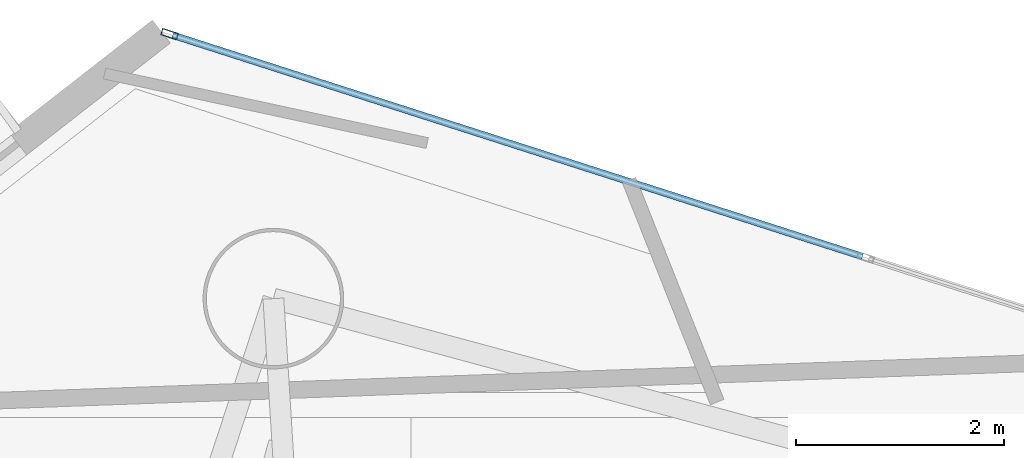
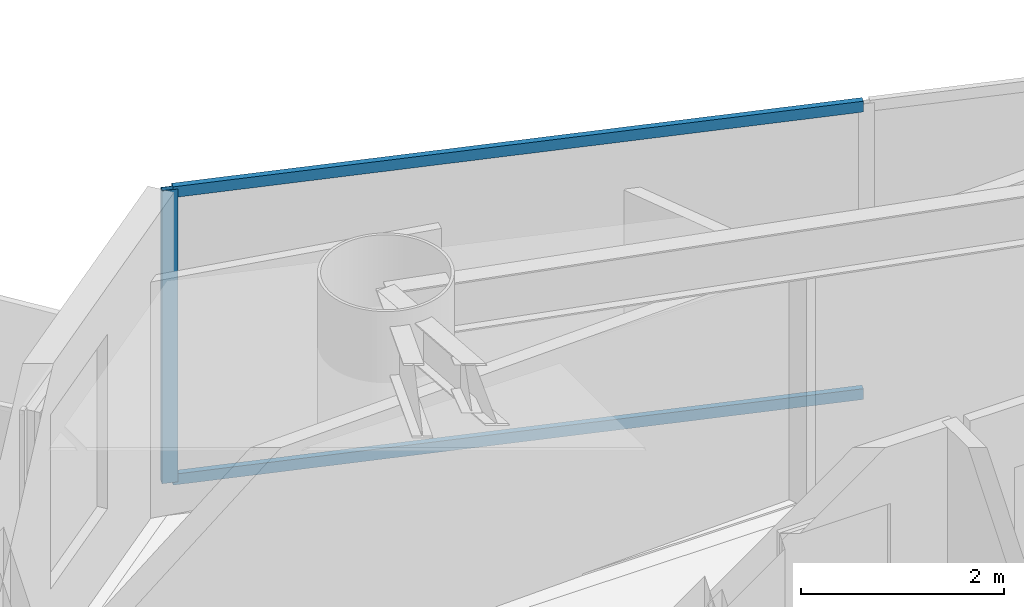
# One storey, part 16 of 22: 3 members, 1 element without a shape of its own.
"""IFC4 building model written with IfcOpenShell, lengths in metres."""

import ifcopenshell
import ifcopenshell.guid

model = None  # the IFC model being written
_history = None  # IfcOwnerHistory: only IFC2X3 demands one
_inside = {}  # id of a spatial element -> (the spatial element, [elements in it])
_under = {}  # id of a project, library or spatial element -> (it, [spatial elements below it])
_declared = {}  # id of a project -> (the project, [libraries it declares])
_typed = {}  # id of a type object -> (the type object, [elements of that type])
_made_of = {}  # id of a material, layer set ... -> (it, [elements and type objects made of it])


def new_model(schema):
    """Start an empty IFC model of exactly this schema.

    Asked for "IFC4X3", IfcOpenShell would pick the latest addendum, in which some entities
    have other attributes; the version numbers below select the first issue.
    IFC2X3 requires an IfcOwnerHistory on every rooted entity: one is made here for all.
    """
    global model, _history
    if schema == "IFC4X3":
        model = ifcopenshell.file(schema_version=(4, 3, 0, 0))
    else:
        model = ifcopenshell.file(schema=schema)
    _inside.clear()
    _under.clear()
    _declared.clear()
    _typed.clear()
    _made_of.clear()
    _history = None
    if model.schema == "IFC2X3":
        org = make("IfcOrganization", Name="unknown")
        user = make(
            "IfcPersonAndOrganization",
            ThePerson=make("IfcPerson", FamilyName="unknown"),
            TheOrganization=org,
        )
        app = make(
            "IfcApplication",
            ApplicationDeveloper=org,
            Version="unknown",
            ApplicationFullName="unknown",
            ApplicationIdentifier="unknown",
        )
        _history = make(
            "IfcOwnerHistory",
            OwningUser=user,
            OwningApplication=app,
            ChangeAction="ADDED",
            CreationDate=0,
        )
    return model


def make(cls, **values):
    """One entity of the class cls with the attributes given. An attribute that is None is left unset."""
    return model.create_entity(
        cls, **{name: value for name, value in values.items() if value is not None}
    )


def rooted(cls, **values):
    """An entity with a GlobalId (a new one), such as an element, a storey or a relation."""
    return make(cls, GlobalId=ifcopenshell.guid.new(), OwnerHistory=_history, **values)


def si_unit(unit_type, name, prefix=None):
    """IfcSIUnit, for example si_unit("LENGTHUNIT", "METRE", prefix="MILLI")."""
    return make("IfcSIUnit", UnitType=unit_type, Prefix=prefix, Name=name)


def assignment(units):
    """IfcUnitAssignment: the units of a project."""
    return None if units is None else make("IfcUnitAssignment", Units=units)


def point(xyz):
    """IfcCartesianPoint."""
    return None if xyz is None else make("IfcCartesianPoint", Coordinates=xyz)


def direction(xyz):
    """IfcDirection."""
    return None if xyz is None else make("IfcDirection", DirectionRatios=xyz)


def frame(location, z_axis=None, x_axis=None):
    """IfcAxis2Placement3D, a coordinate frame: its origin and axes. An axis left out is left unset."""
    return make(
        "IfcAxis2Placement3D",
        Location=point(location),
        Axis=direction(z_axis),
        RefDirection=direction(x_axis),
    )


def frame_2d(location, x_axis=None):
    """IfcAxis2Placement2D, a coordinate frame in the plane: its origin and x axis."""
    return make(
        "IfcAxis2Placement2D", Location=point(location), RefDirection=direction(x_axis)
    )


def origin():
    """The frame at (0, 0, 0) with its axes left unset."""
    return frame((0.0, 0.0, 0.0))


def origin_2d():
    """The frame at (0, 0) in the plane with its x axis left unset."""
    return frame_2d((0.0, 0.0))


def place(relative_to, where):
    """IfcLocalPlacement: puts the frame where relative to a parent placement (None: the world)."""
    return make(
        "IfcLocalPlacement", PlacementRelTo=relative_to, RelativePlacement=where
    )


def context(
    kind, dimensions, precision=None, world=None, true_north=None, identifier=None
):
    """IfcGeometricRepresentationContext, for example the 3D "Model" context."""
    return make(
        "IfcGeometricRepresentationContext",
        ContextIdentifier=identifier,
        ContextType=kind,
        CoordinateSpaceDimension=dimensions,
        Precision=precision,
        WorldCoordinateSystem=world,
        TrueNorth=true_north,
    )


def subcontext(parent, identifier, kind, view, scale=None):
    """IfcGeometricRepresentationSubContext, for example "Body" below "Model"."""
    return make(
        "IfcGeometricRepresentationSubContext",
        ContextIdentifier=identifier,
        ContextType=kind,
        ParentContext=parent,
        TargetScale=scale,
        TargetView=view,
    )


def project(units=None, contexts=None):
    """IfcProject with its units and contexts."""
    return rooted(
        "IfcProject",
        Name="project",
        RepresentationContexts=contexts,
        UnitsInContext=assignment(units),
    )


def spatial(cls, under=None, at=None, **own):
    """A site, building, storey or space (cls), placed at a placement, below another one or the project."""
    s = rooted(cls, ObjectPlacement=at, **own)
    if under is not None:
        _under.setdefault(under.id(), (under, []))[1].append(s)
    return s


def profile(cls, at=None, kind="AREA", **sizes):
    """A parametric profile (cls). Its sizes go by their IFC names, for example OverallWidth=200.0."""
    return make(cls, ProfileType=kind, Position=at, **sizes)


def hollow_rectangle(**sizes):
    """IfcRectangleHollowProfileDef."""
    return profile("IfcRectangleHollowProfileDef", **sizes)


def extrude(swept, where, along, depth):
    """IfcExtrudedAreaSolid: the profile swept, set in the frame where, extruded along a direction by depth."""
    return make(
        "IfcExtrudedAreaSolid",
        SweptArea=swept,
        Position=where,
        ExtrudedDirection=direction(along),
        Depth=depth,
    )


def shape(context_of_items, identifier, shape_type, items):
    """IfcShapeRepresentation: the items that make up one representation, for example the "Body"."""
    return make(
        "IfcShapeRepresentation",
        ContextOfItems=context_of_items,
        RepresentationIdentifier=identifier,
        RepresentationType=shape_type,
        Items=items,
    )


def material(Name=None, Category=None):
    """IfcMaterial."""
    return make("IfcMaterial", Name=Name, Category=Category)


def layer(
    of_material, thickness, ventilated=None, Name=None, Category=None, Priority=None
):
    """IfcMaterialLayer: one layer of a wall or slab, of a material (None: an air gap)."""
    return make(
        "IfcMaterialLayer",
        Material=of_material,
        LayerThickness=thickness,
        IsVentilated=ventilated,
        Name=Name,
        Category=Category,
        Priority=Priority,
    )


def layer_set(layers, Name=None):
    """IfcMaterialLayerSet."""
    return make("IfcMaterialLayerSet", MaterialLayers=layers, LayerSetName=Name)


def material_profile(
    of_material, cross_section, Name=None, Category=None, Priority=None
):
    """IfcMaterialProfile: a cross section and its material."""
    return make(
        "IfcMaterialProfile",
        Name=Name,
        Material=of_material,
        Profile=cross_section,
        Priority=Priority,
        Category=Category,
    )


def profile_set(profiles, Name=None, composite=None):
    """IfcMaterialProfileSet."""
    return make(
        "IfcMaterialProfileSet",
        Name=Name,
        MaterialProfiles=profiles,
        CompositeProfile=composite,
    )


def made_of(thing, what):
    """Note that an element or type object is made of a material, layer set ...; save() writes the relation."""
    if what is not None:
        _made_of.setdefault(what.id(), (what, []))[1].append(thing)
    return thing


def type_object(cls, material=None, **own):
    """A type object (cls), such as IfcWallType, which elements share."""
    return made_of(rooted(cls, **own), material)


def element(
    cls,
    number,
    at=None,
    inside=None,
    cuts=None,
    type_object=None,
    material=None,
    context=None,
    identifier="Body",
    shape_type=None,
    held_by="IfcProductDefinitionShape",
    body=None,
    shapes=None,
    **own,
):
    """One element of the class cls, such as IfcWall. Its Tag is "e" and its number.

    at: its placement. inside: the storey or other place that contains it. cuts: it is an
    opening in that element (IfcRelVoidsElement). A single representation is given by context,
    identifier, shape_type and body (its items); several are given by shapes. held_by: the class
    of the entity that holds the representations. save() writes the other relations.
    """
    e = rooted(cls, Tag="e%d" % number, ObjectPlacement=at, **own)
    if body is not None:
        shapes = [shape(context, identifier, shape_type, body)]
    if shapes is not None:
        e.Representation = make(held_by, Representations=shapes)
    if inside is not None:
        _inside.setdefault(inside.id(), (inside, []))[1].append(e)
    if cuts is not None:
        rooted(
            "IfcRelVoidsElement", RelatingBuildingElement=cuts, RelatedOpeningElement=e
        )
    if type_object is not None:
        _typed.setdefault(type_object.id(), (type_object, []))[1].append(e)
    return made_of(e, material)


def aggregate(whole, parts):
    """IfcRelAggregates: a whole, such as a stair, and the parts it consists of."""
    return rooted("IfcRelAggregates", RelatingObject=whole, RelatedObjects=parts)


def save(model, path):
    """Write the relations noted so far, then the file.

    IfcRelAggregates (storeys below a building ...), IfcRelContainedInSpatialStructure (elements
    in a storey), IfcRelDefinesByType, IfcRelAssociatesMaterial and IfcRelDeclares: one each for
    every whole, place, type object, material and project.
    """
    for whole, parts in _under.values():
        aggregate(whole, parts)
    for where, things in _inside.values():
        rooted(
            "IfcRelContainedInSpatialStructure",
            RelatedElements=things,
            RelatingStructure=where,
        )
    for kind, things in _typed.values():
        rooted("IfcRelDefinesByType", RelatedObjects=things, RelatingType=kind)
    for what, things in _made_of.values():
        rooted("IfcRelAssociatesMaterial", RelatedObjects=things, RelatingMaterial=what)
    for by, libraries in _declared.values():
        rooted("IfcRelDeclares", RelatingContext=by, RelatedDefinitions=libraries)
    model.write(path)


model = new_model("IFC4")

# Units and contexts
model_context = context("Model", 3, precision=1e-05, world=origin(), true_north=direction((0.0, 1.0)))
body_context = subcontext(model_context, "Body", "Model", "MODEL_VIEW")
ifc_project = project(units=[si_unit("LENGTHUNIT", "METRE"), si_unit("AREAUNIT", "SQUARE_METRE"), si_unit("VOLUMEUNIT", "CUBIC_METRE"), si_unit("PLANEANGLEUNIT", "RADIAN"), si_unit("MASSUNIT", "GRAM", prefix="KILO")], contexts=[model_context])

# Site, building, storey
site_placement = place(None, origin())
site = spatial("IfcSite", under=ifc_project, at=site_placement, CompositionType="ELEMENT")
building_placement = place(site_placement, origin())
building = spatial("IfcBuilding", under=site, at=building_placement, Name="Qianvela Tower", CompositionType="ELEMENT")
storey_placement = place(building_placement, frame((0.0, 0.0, 173.5)))
storey = spatial("IfcBuildingStorey", under=building, at=storey_placement, Name="L44", CompositionType="ELEMENT", Elevation=173.5)

# Curtain wall, members
ifc_material_1 = material(Name="Anodised Architectural Aluminium and Low-E Glass", Category="aluminium")
ifc_layer = layer(ifc_material_1, 0.169921875)
ifc_layer_set = layer_set([ifc_layer], Name="Anodised Architectural Aluminium and Low-E Glass")
curtain_wall_type = type_object("IfcCurtainWallType", Name="CW-COLIV-Z34", PredefinedType="USERDEFINED", material=ifc_layer_set)
curtain_wall_placement = place(storey_placement, origin())
curtain_wall = element("IfcCurtainWall", 1, at=curtain_wall_placement, inside=storey, type_object=curtain_wall_type, Name="L44 CW-COLIV-Z34 Curtain Wall 02C", ObjectType="CURTAIN_WALL_SYSTEM", PredefinedType="USERDEFINED")
ifc_material_2 = material(Name="Anodised Architectural Aluminium 6063-T6", Category="aluminium")
ifc_material_profile_1 = material_profile(ifc_material_2, hollow_rectangle(XDim=0.06494140625, YDim=0.159912109375, WallThickness=0.0048828125, at=origin_2d()), Name="ALU-MULL-65x160")
ifc_profile_set_1 = profile_set([ifc_material_profile_1], Name="Anodised Architectural Aluminium 6063-T6")
member_type_1 = type_object("IfcMemberType", Name="CW-COLIV-Z34-MULL", PredefinedType="MULLION", material=ifc_profile_set_1)
member_1_placement = place(storey_placement, frame((27.238037109375, 41.950439453125, 0.0), z_axis=(0.0, 0.0, 1.0), x_axis=(-0.305578960999, -0.952166738862, 0.0)))
member_1 = element("IfcMember", 2, at=member_1_placement, type_object=member_type_1, Name="CW-4 mullion 3", PredefinedType="MULLION", context=body_context, shape_type="SweptSolid", body=[
    extrude(hollow_rectangle(XDim=0.06494140625, YDim=0.159912109375, WallThickness=0.0048828125, at=origin_2d()), origin(), (0.0, 0.0, 1.0), 3.52001953125),
])
ifc_material_3 = material(Name="Anodised Architectural Aluminium 6063-T6", Category="aluminium")
ifc_material_profile_2 = material_profile(ifc_material_3, hollow_rectangle(XDim=0.06494140625, YDim=0.1298828125, WallThickness=0.00439453125, at=origin_2d()), Name="ALU-TRAN-65x130")
ifc_profile_set_2 = profile_set([ifc_material_profile_2], Name="Anodised Architectural Aluminium 6063-T6")
member_type_2 = type_object("IfcMemberType", Name="CW-COLIV-Z34-TRAN", PredefinedType="USERDEFINED", material=ifc_profile_set_2)
member_2_placement = place(storey_placement, frame((33.889404296875, 39.81591796875, 0.032470703125), z_axis=(-0.952173495537, 0.30555790678, 0.0), x_axis=(-0.30555790678, -0.952173495537, 0.0)))
member_2 = element("IfcMember", 3, at=member_2_placement, type_object=member_type_2, Name="CW-4 transom 2.1", ObjectType="TRANSOM", PredefinedType="USERDEFINED", context=body_context, shape_type="SweptSolid", body=[
    extrude(hollow_rectangle(XDim=0.06494140625, YDim=0.1298828125, WallThickness=0.00439453125, at=origin_2d()), origin(), (0.0, 0.0, 1.0), 6.952880859375),
])
member_3_placement = place(storey_placement, frame((33.889404296875, 39.81591796875, 3.487548828125), z_axis=(-0.952173495537, 0.30555790678, 0.0), x_axis=(-0.30555790678, -0.952173495537, 0.0)))
member_3 = element("IfcMember", 4, at=member_3_placement, type_object=member_type_2, Name="CW-4 transom 2.2", ObjectType="TRANSOM", PredefinedType="USERDEFINED", context=body_context, shape_type="SweptSolid", body=[
    extrude(hollow_rectangle(XDim=0.06494140625, YDim=0.1298828125, WallThickness=0.00439453125, at=origin_2d()), origin(), (0.0, 0.0, 1.0), 6.952880859375),
])
aggregate(curtain_wall, [member_1, member_2, member_3])

save(model, "model.ifc")
